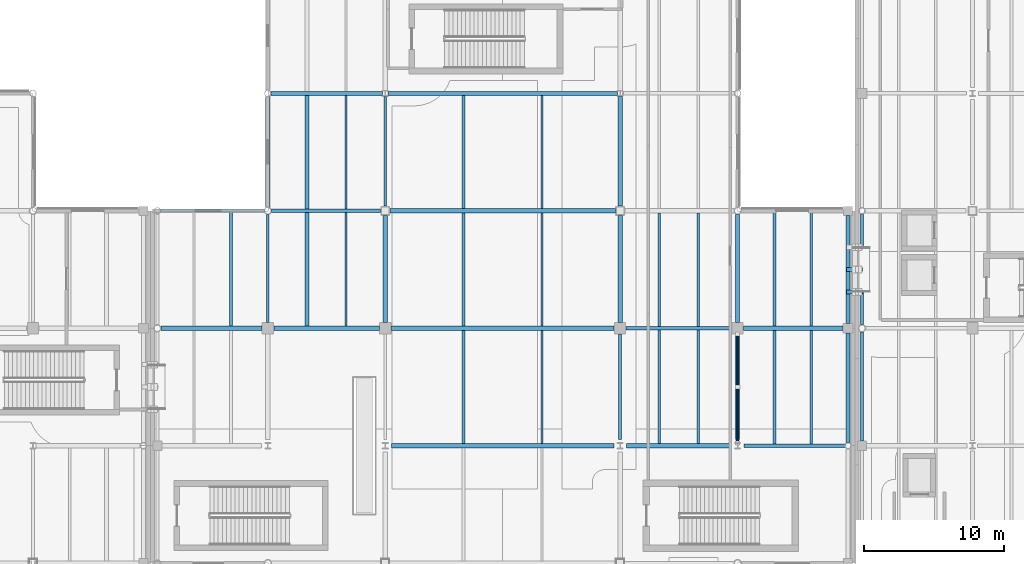
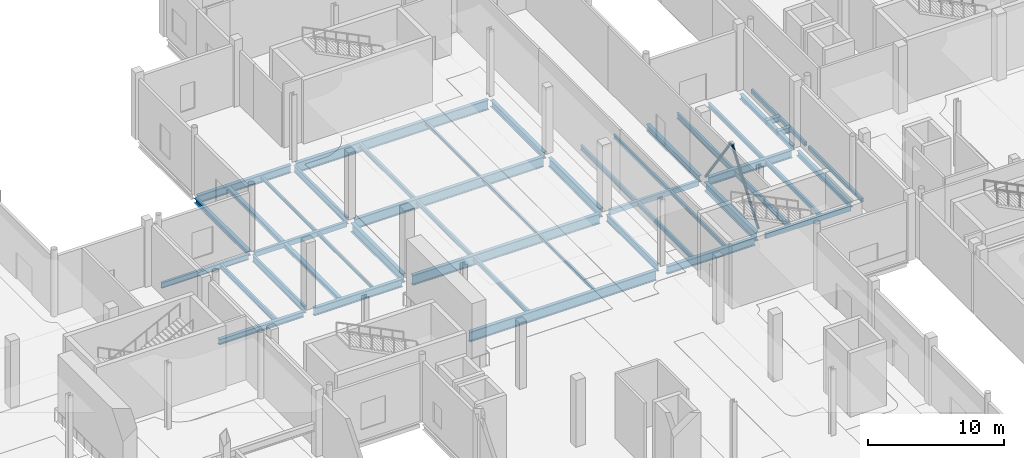
# One storey, part 22 of 85: 47 beams, 2 members.
"""IFC4 building model written with IfcOpenShell, lengths in metres."""

from ifc_helpers import new_model, si_unit, direction, frame, origin, origin_2d, place, context, subcontext, project, spatial, hollow_rectangle, hollow_circle, i_section, extrude, material, material_profile, profile_set, type_object, element, save


model = new_model("IFC4")

# Units and contexts
model_context = context("Model", 3, precision=1e-05, world=origin(), true_north=direction((0.0, 1.0)))
body_context = subcontext(model_context, "Body", "Model", "MODEL_VIEW")
ifc_project = project(units=[si_unit("LENGTHUNIT", "METRE"), si_unit("AREAUNIT", "SQUARE_METRE"), si_unit("VOLUMEUNIT", "CUBIC_METRE"), si_unit("PLANEANGLEUNIT", "RADIAN"), si_unit("MASSUNIT", "GRAM", prefix="KILO"), si_unit("THERMODYNAMICTEMPERATUREUNIT", "KELVIN")], contexts=[model_context])

# Site, building, storey
site_placement = place(None, origin())
site = spatial("IfcSite", under=ifc_project, at=site_placement, CompositionType="ELEMENT")
building_placement = place(site_placement, origin())
building = spatial("IfcBuilding", under=site, at=building_placement, Name="Lustrewick Department Store", CompositionType="ELEMENT")
storey_placement = place(building_placement, origin())
storey = spatial("IfcBuildingStorey", under=building, at=storey_placement, Name="L01", CompositionType="ELEMENT", Elevation=0.0)

# Beams
ifc_material_1 = material(Name="Structural steel Q355B", Category="steel")
ifc_material_profile_1 = material_profile(ifc_material_1, i_section(OverallWidth=0.199951171875, OverallDepth=0.5, WebThickness=0.010009765625, FlangeThickness=0.01611328125, FilletRadius=0.01611328125, at=origin_2d()), Name="HN 500x200x10x16")
ifc_profile_set_1 = profile_set([ifc_material_profile_1], Name="Structural steel Q355B")
beam_type_1 = type_object("IfcBeamType", Name="B01", PredefinedType="JOIST", material=ifc_profile_set_1)
beam_1_placement = place(storey_placement, frame((103.433349609375, 67.324951171875, -0.52001953125), z_axis=(0.0, 1.0, 0.0), x_axis=(-1.0, 0.0, 0.0)))
element("IfcBeam", 1, at=beam_1_placement, inside=storey, type_object=beam_type_1, Name="L01 V2 Secondary Joist B01", PredefinedType="JOIST", context=body_context, shape_type="SweptSolid", body=[
    extrude(i_section(OverallWidth=0.199951171875, OverallDepth=0.5, WebThickness=0.010009765625, FlangeThickness=0.01611328125, FilletRadius=0.01611328125, at=origin_2d()), origin(), (0.0, 0.0, 1.0), 8.1240234375),
])
beam_2_placement = place(storey_placement, frame((103.433349609375, 75.7509765625, -0.52001953125), z_axis=(0.0, 1.0, 0.0), x_axis=(-1.0, 0.0, 0.0)))
element("IfcBeam", 2, at=beam_2_placement, inside=storey, type_object=beam_type_1, Name="L01 V2 Secondary Joist B01", PredefinedType="JOIST", context=body_context, shape_type="SweptSolid", body=[
    extrude(i_section(OverallWidth=0.199951171875, OverallDepth=0.5, WebThickness=0.010009765625, FlangeThickness=0.01611328125, FilletRadius=0.01611328125, at=origin_2d()), origin(), (0.0, 0.0, 1.0), 8.1484375),
])
ifc_material_profile_2 = material_profile(ifc_material_1, i_section(OverallWidth=0.199951171875, OverallDepth=0.449951171875, WebThickness=0.009033203125, FlangeThickness=0.013916015625, FilletRadius=0.01611328125, at=origin_2d()), Name="HN 450x200x9x14")
ifc_profile_set_2 = profile_set([ifc_material_profile_2], Name="Structural steel Q355B")
beam_type_2 = type_object("IfcBeamType", Name="B03", PredefinedType="JOIST", material=ifc_profile_set_2)
beam_3_placement = place(storey_placement, frame((64.566650390625, 75.75, -0.4951171875), z_axis=(0.0, 1.0, 0.0), x_axis=(-1.0, 0.0, 0.0)))
element("IfcBeam", 3, at=beam_3_placement, inside=storey, type_object=beam_type_2, Name="L01 V2 Secondary Joist B03", PredefinedType="JOIST", context=body_context, shape_type="SweptSolid", body=[
    extrude(i_section(OverallWidth=0.199951171875, OverallDepth=0.449951171875, WebThickness=0.009033203125, FlangeThickness=0.013916015625, FilletRadius=0.01611328125, at=origin_2d()), origin(), (0.0, 0.0, 1.0), 8.1494140625),
])
ifc_material_profile_3 = material_profile(ifc_material_1, i_section(OverallWidth=0.199951171875, OverallDepth=0.39990234375, WebThickness=0.008056640625, FlangeThickness=0.012939453125, FilletRadius=0.013916015625, at=origin_2d()), Name="HN 400x200x8x13")
ifc_profile_set_3 = profile_set([ifc_material_profile_3], Name="Structural steel Q355B")
beam_type_3 = type_object("IfcBeamType", Name="B05", PredefinedType="JOIST", material=ifc_profile_set_3)
beam_4_placement = place(storey_placement, frame((81.199951171875, 67.35009765625, -0.469970703125), z_axis=(0.0, 1.0, 0.0), x_axis=(-1.0, 0.0, 0.0)))
element("IfcBeam", 4, at=beam_4_placement, inside=storey, type_object=beam_type_3, Name="L01 V2 Secondary Joist B05", PredefinedType="JOIST", context=body_context, shape_type="SweptSolid", body=[
    extrude(i_section(OverallWidth=0.199951171875, OverallDepth=0.39990234375, WebThickness=0.008056640625, FlangeThickness=0.012939453125, FilletRadius=0.013916015625, at=origin_2d()), origin(), (0.0, 0.0, 1.0), 8.099853515625),
])
beam_5_placement = place(storey_placement, frame((106.066650390625, 67.324951171875, -0.469970703125), z_axis=(0.0, 1.0, 0.0), x_axis=(-1.0, 0.0, 0.0)))
element("IfcBeam", 5, at=beam_5_placement, inside=storey, type_object=beam_type_3, Name="L01 V2 Secondary Joist B05", PredefinedType="JOIST", context=body_context, shape_type="SweptSolid", body=[
    extrude(i_section(OverallWidth=0.199951171875, OverallDepth=0.39990234375, WebThickness=0.008056640625, FlangeThickness=0.012939453125, FilletRadius=0.013916015625, at=origin_2d()), origin(), (0.0, 0.0, 1.0), 8.1240234375),
])
beam_6_placement = place(storey_placement, frame((81.199951171875, 75.75, -0.469970703125), z_axis=(0.0, 1.0, 0.0), x_axis=(-1.0, 0.0, 0.0)))
element("IfcBeam", 6, at=beam_6_placement, inside=storey, type_object=beam_type_3, Name="L01 V2 Secondary Joist B05", PredefinedType="JOIST", context=body_context, shape_type="SweptSolid", body=[
    extrude(i_section(OverallWidth=0.199951171875, OverallDepth=0.39990234375, WebThickness=0.008056640625, FlangeThickness=0.012939453125, FilletRadius=0.013916015625, at=origin_2d()), origin(), (0.0, 0.0, 1.0), 8.10009765625),
])
beam_7_placement = place(storey_placement, frame((106.066650390625, 75.7509765625, -0.469970703125), z_axis=(0.0, 1.0, 0.0), x_axis=(-1.0, 0.0, 0.0)))
element("IfcBeam", 7, at=beam_7_placement, inside=storey, type_object=beam_type_3, Name="L01 V2 Secondary Joist B05", PredefinedType="JOIST", context=body_context, shape_type="SweptSolid", body=[
    extrude(i_section(OverallWidth=0.199951171875, OverallDepth=0.39990234375, WebThickness=0.008056640625, FlangeThickness=0.012939453125, FilletRadius=0.013916015625, at=origin_2d()), origin(), (0.0, 0.0, 1.0), 8.1484375),
])
beam_8_placement = place(storey_placement, frame((81.199951171875, 84.14990234375, -0.469970703125), z_axis=(0.0, 1.0, 0.0), x_axis=(-1.0, 0.0, 0.0)))
element("IfcBeam", 8, at=beam_8_placement, inside=storey, type_object=beam_type_3, Name="L01 V2 Secondary Joist B05", PredefinedType="JOIST", context=body_context, shape_type="SweptSolid", body=[
    extrude(i_section(OverallWidth=0.199951171875, OverallDepth=0.39990234375, WebThickness=0.008056640625, FlangeThickness=0.012939453125, FilletRadius=0.013916015625, at=origin_2d()), origin(), (0.0, 0.0, 1.0), 8.10009765625),
])
ifc_material_profile_4 = material_profile(ifc_material_1, i_section(OverallWidth=0.198974609375, OverallDepth=0.39599609375, WebThickness=0.007080078125, FlangeThickness=0.010986328125, FilletRadius=0.013916015625, at=origin_2d()), Name="HN 396x199x7x11")
ifc_profile_set_4 = profile_set([ifc_material_profile_4], Name="Structural steel Q355B")
beam_type_4 = type_object("IfcBeamType", Name="B06", PredefinedType="JOIST", material=ifc_profile_set_4)
beam_9_placement = place(storey_placement, frame((95.199951171875, 67.35009765625, -0.468017578125), z_axis=(0.0, 1.0, 0.0), x_axis=(-1.0, 0.0, 0.0)))
element("IfcBeam", 9, at=beam_9_placement, inside=storey, type_object=beam_type_4, Name="L01 V2 Secondary Joist B06", PredefinedType="JOIST", context=body_context, shape_type="SweptSolid", body=[
    extrude(i_section(OverallWidth=0.198974609375, OverallDepth=0.39599609375, WebThickness=0.007080078125, FlangeThickness=0.010986328125, FilletRadius=0.013916015625, at=origin_2d()), origin(), (0.0, 0.0, 1.0), 8.125),
])
beam_10_placement = place(storey_placement, frame((95.199951171875, 75.72509765625, -0.468017578125), z_axis=(0.0, 1.0, 0.0), x_axis=(-1.0, 0.0, 0.0)))
element("IfcBeam", 10, at=beam_10_placement, inside=storey, type_object=beam_type_4, Name="L01 V2 Secondary Joist B06", PredefinedType="JOIST", context=body_context, shape_type="SweptSolid", body=[
    extrude(i_section(OverallWidth=0.198974609375, OverallDepth=0.39599609375, WebThickness=0.007080078125, FlangeThickness=0.010986328125, FilletRadius=0.013916015625, at=origin_2d()), origin(), (0.0, 0.0, 1.0), 8.1240234375),
])
ifc_material_profile_5 = material_profile(ifc_material_1, i_section(OverallWidth=0.300048828125, OverallDepth=0.389892578125, WebThickness=0.010009765625, FlangeThickness=0.01611328125, FilletRadius=0.01806640625, at=origin_2d()), Name="HM 390x300x10x16")
ifc_profile_set_5 = profile_set([ifc_material_profile_5], Name="Structural steel Q355B")
beam_type_5 = type_object("IfcBeamType", Name="B07", PredefinedType="JOIST", material=ifc_profile_set_5)
for number, where, z_axis, x_axis, name in (
    (11, (70.0, 75.75, -0.465087890625), (0.0, 1.0, 0.0), (-1.0, 0.0, 0.0), "L01 V2 Secondary Joist B07"),
    (12, (70.0, 84.125, -0.465087890625), (0.0, 1.0, 0.0), (-1.0, 0.0, 0.0), "L01 V2 Secondary Joist B07"),
):
    element("IfcBeam", number, at=place(storey_placement, frame(where, z_axis=z_axis, x_axis=x_axis)), inside=storey, type_object=beam_type_5, Name=name, PredefinedType="JOIST", context=body_context, shape_type="SweptSolid", body=[
        extrude(i_section(OverallWidth=0.300048828125, OverallDepth=0.389892578125, WebThickness=0.010009765625, FlangeThickness=0.01611328125, FilletRadius=0.01806640625, at=origin_2d()), origin(), (0.0, 0.0, 1.0), 8.125),
    ])
ifc_material_profile_6 = material_profile(ifc_material_1, i_section(OverallWidth=0.174072265625, OverallDepth=0.345947265625, WebThickness=0.006103515625, FlangeThickness=0.009033203125, FilletRadius=0.012939453125, at=origin_2d()), Name="HN 346x174x6x9")
ifc_profile_set_6 = profile_set([ifc_material_profile_6], Name="Structural steel Q355B")
beam_type_6 = type_object("IfcBeamType", Name="B10", PredefinedType="JOIST", material=ifc_profile_set_6)
beam_11_placement = place(storey_placement, frame((98.0, 67.35009765625, -0.443115234375), z_axis=(0.0, 1.0, 0.0), x_axis=(-1.0, 0.0, 0.0)))
element("IfcBeam", 13, at=beam_11_placement, inside=storey, type_object=beam_type_6, Name="L01 V2 Secondary Joist B10", PredefinedType="JOIST", context=body_context, shape_type="SweptSolid", body=[
    extrude(i_section(OverallWidth=0.174072265625, OverallDepth=0.345947265625, WebThickness=0.006103515625, FlangeThickness=0.009033203125, FilletRadius=0.012939453125, at=origin_2d()), origin(), (0.0, 0.0, 1.0), 8.125),
])
beam_12_placement = place(storey_placement, frame((98.0, 75.72509765625, -0.443115234375), z_axis=(0.0, 1.0, 0.0), x_axis=(-1.0, 0.0, 0.0)))
element("IfcBeam", 14, at=beam_12_placement, inside=storey, type_object=beam_type_6, Name="L01 V2 Secondary Joist B10", PredefinedType="JOIST", context=body_context, shape_type="SweptSolid", body=[
    extrude(i_section(OverallWidth=0.174072265625, OverallDepth=0.345947265625, WebThickness=0.006103515625, FlangeThickness=0.009033203125, FilletRadius=0.012939453125, at=origin_2d()), origin(), (0.0, 0.0, 1.0), 8.1240234375),
])
ifc_material_profile_7 = material_profile(ifc_material_1, i_section(OverallWidth=0.14990234375, OverallDepth=0.300048828125, WebThickness=0.006591796875, FlangeThickness=0.009033203125, FilletRadius=0.011962890625, at=origin_2d()), Name="HN 300x150x6.5x9")
ifc_profile_set_7 = profile_set([ifc_material_profile_7], Name="Structural steel Q355B")
beam_type_7 = type_object("IfcBeamType", Name="B11", PredefinedType="JOIST", material=ifc_profile_set_7)
for number, where, z_axis, x_axis, name in (
    (15, (72.800048828125, 75.75, -0.419921875), (0.0, 1.0, 0.0), (-1.0, 0.0, 0.0), "L01 V2 Secondary Joist B11"),
    (16, (72.800048828125, 84.125, -0.419921875), (0.0, 1.0, 0.0), (-1.0, 0.0, 0.0), "L01 V2 Secondary Joist B11"),
):
    element("IfcBeam", number, at=place(storey_placement, frame(where, z_axis=z_axis, x_axis=x_axis)), inside=storey, type_object=beam_type_7, Name=name, PredefinedType="JOIST", context=body_context, shape_type="SweptSolid", body=[
        extrude(i_section(OverallWidth=0.14990234375, OverallDepth=0.300048828125, WebThickness=0.006591796875, FlangeThickness=0.009033203125, FilletRadius=0.011962890625, at=origin_2d()), origin(), (0.0, 0.0, 1.0), 8.125),
    ])
ifc_material_profile_8 = material_profile(ifc_material_1, i_section(OverallWidth=0.14892578125, OverallDepth=0.298095703125, WebThickness=0.005615234375, FlangeThickness=0.008056640625, FilletRadius=0.011962890625, at=origin_2d()), Name="HN 298x149x5.5x8")
ifc_profile_set_8 = profile_set([ifc_material_profile_8], Name="Structural steel Q355B")
beam_type_8 = type_object("IfcBeamType", Name="B12", PredefinedType="JOIST", material=ifc_profile_set_8)
beam_13_placement = place(storey_placement, frame((86.800048828125, 67.35009765625, -0.4189453125), z_axis=(0.0, 1.0, 0.0), x_axis=(-1.0, 0.0, 0.0)))
element("IfcBeam", 17, at=beam_13_placement, inside=storey, type_object=beam_type_8, Name="L01 V2 Secondary Joist B12", PredefinedType="JOIST", context=body_context, shape_type="SweptSolid", body=[
    extrude(i_section(OverallWidth=0.14892578125, OverallDepth=0.298095703125, WebThickness=0.005615234375, FlangeThickness=0.008056640625, FilletRadius=0.011962890625, at=origin_2d()), origin(), (0.0, 0.0, 1.0), 8.099853515625),
])
for number, where, z_axis, x_axis, name in (
    (18, (86.800048828125, 75.75, -0.4189453125), (0.0, 1.0, 0.0), (-1.0, 0.0, 0.0), "L01 V2 Secondary Joist B12"),
    (19, (86.800048828125, 84.14990234375, -0.4189453125), (0.0, 1.0, 0.0), (-1.0, 0.0, 0.0), "L01 V2 Secondary Joist B12"),
):
    element("IfcBeam", number, at=place(storey_placement, frame(where, z_axis=z_axis, x_axis=x_axis)), inside=storey, type_object=beam_type_8, Name=name, PredefinedType="JOIST", context=body_context, shape_type="SweptSolid", body=[
        extrude(i_section(OverallWidth=0.14892578125, OverallDepth=0.298095703125, WebThickness=0.005615234375, FlangeThickness=0.008056640625, FilletRadius=0.011962890625, at=origin_2d()), origin(), (0.0, 0.0, 1.0), 8.10009765625),
    ])

# Members
ifc_material_profile_9 = material_profile(ifc_material_1, hollow_circle(Radius=0.109619140625, WallThickness=0.010009765625, at=origin_2d()), Name="CHS 219x10")
ifc_profile_set_9 = profile_set([ifc_material_profile_9], Name="Structural steel Q355B")
member_type = type_object("IfcMemberType", Name="BR05", PredefinedType="BRACE", material=ifc_profile_set_9)
member_1_placement = place(storey_placement, frame((100.800048828125, 67.39990234375, 0.14990234375), z_axis=(0.0, 0.596695982264, 0.802467385474), x_axis=(-1.0, 0.0, 0.0)))
element("IfcMember", 20, at=member_1_placement, inside=storey, type_object=member_type, Name="L01 V2 Chevron Brace BR05", PredefinedType="BRACE", context=body_context, shape_type="SweptSolid", body=[
    extrude(hollow_circle(Radius=0.109619140625, WallThickness=0.010009765625, at=origin_2d()), origin(), (0.0, 0.0, 1.0), 6.5361328125),
])
member_2_placement = place(storey_placement, frame((100.800048828125, 75.199951171875, 0.14990234375), z_axis=(0.0, -0.576424827451, 0.817150180994), x_axis=(1.0, 0.0, 0.0)))
element("IfcMember", 21, at=member_2_placement, inside=storey, type_object=member_type, Name="L01 V2 Chevron Brace BR05", PredefinedType="BRACE", context=body_context, shape_type="SweptSolid", body=[
    extrude(hollow_circle(Radius=0.109619140625, WallThickness=0.010009765625, at=origin_2d()), origin(), (0.0, 0.0, 1.0), 6.418701171875),
])

# Beams
ifc_material_2 = material(Name="Structural steel Q355C", Category="steel")
ifc_material_profile_10 = material_profile(ifc_material_2, i_section(OverallWidth=0.300048828125, OverallDepth=0.89990234375, WebThickness=0.01611328125, FlangeThickness=0.028076171875, FilletRadius=0.02392578125, at=origin_2d()), Name="HN 900x300x16x28")
ifc_profile_set_10 = profile_set([ifc_material_profile_10], Name="Structural steel Q355C")
beam_type_9 = type_object("IfcBeamType", Name="G02", PredefinedType="BEAM", material=ifc_profile_set_10)
beam_14_placement = place(storey_placement, frame((76.050048828125, 67.199951171875, -0.719970703125), z_axis=(1.0, 0.0, 0.0), x_axis=(0.0, 1.0, 0.0)))
element("IfcBeam", 22, at=beam_14_placement, inside=storey, type_object=beam_type_9, Name="L01 V2 Girder G02", PredefinedType="BEAM", context=body_context, shape_type="SweptSolid", body=[
    extrude(i_section(OverallWidth=0.300048828125, OverallDepth=0.89990234375, WebThickness=0.01611328125, FlangeThickness=0.028076171875, FilletRadius=0.02392578125, at=origin_2d()), origin(), (0.0, 0.0, 1.0), 15.89990234375),
])
beam_15_placement = place(storey_placement, frame((76.02490234375, 75.60009765625, -0.719970703125), z_axis=(1.0, 0.0, 0.0), x_axis=(0.0, 1.0, 0.0)))
element("IfcBeam", 23, at=beam_15_placement, inside=storey, type_object=beam_type_9, Name="L01 V2 Girder G02", PredefinedType="BEAM", context=body_context, shape_type="SweptSolid", body=[
    extrude(i_section(OverallWidth=0.300048828125, OverallDepth=0.89990234375, WebThickness=0.01611328125, FlangeThickness=0.028076171875, FilletRadius=0.02392578125, at=origin_2d()), origin(), (0.0, 0.0, 1.0), 15.9501953125),
])
beam_16_placement = place(storey_placement, frame((75.949951171875, 84.0, -0.719970703125), z_axis=(1.0, 0.0, 0.0), x_axis=(0.0, 1.0, 0.0)))
element("IfcBeam", 24, at=beam_16_placement, inside=storey, type_object=beam_type_9, Name="L01 V2 Girder G02", PredefinedType="BEAM", context=body_context, shape_type="SweptSolid", body=[
    extrude(i_section(OverallWidth=0.300048828125, OverallDepth=0.89990234375, WebThickness=0.01611328125, FlangeThickness=0.028076171875, FilletRadius=0.02392578125, at=origin_2d()), origin(), (0.0, 0.0, 1.0), 16.10009765625),
])
beam_17_placement = place(storey_placement, frame((75.803466796875, 92.39990234375, -0.719970703125), z_axis=(1.0, 0.0, 0.0), x_axis=(0.0, 1.0, 0.0)))
element("IfcBeam", 25, at=beam_17_placement, inside=storey, type_object=beam_type_9, Name="L01 V2 Girder G02", PredefinedType="BEAM", context=body_context, shape_type="SweptSolid", body=[
    extrude(i_section(OverallWidth=0.300048828125, OverallDepth=0.89990234375, WebThickness=0.01611328125, FlangeThickness=0.028076171875, FilletRadius=0.02392578125, at=origin_2d()), origin(), (0.0, 0.0, 1.0), 16.39306640625),
])
ifc_material_profile_11 = material_profile(ifc_material_2, i_section(OverallWidth=0.302001953125, OverallDepth=0.80810546875, WebThickness=0.01611328125, FlangeThickness=0.030029296875, FilletRadius=0.02197265625, at=origin_2d()), Name="HN 808x302x16x30")
ifc_profile_set_11 = profile_set([ifc_material_profile_11], Name="Structural steel Q355C")
beam_type_10 = type_object("IfcBeamType", Name="G04", PredefinedType="BEAM", material=ifc_profile_set_11)
for number, where, z_axis, x_axis, name in (
    (26, (75.60009765625, 76.02490234375, -0.674072265625), (0.0, 1.0, 0.0), (-1.0, 0.0, 0.0), "L01 V2 Girder G04"),
    (27, (92.39990234375, 76.02490234375, -0.674072265625), (0.0, 1.0, 0.0), (-1.0, 0.0, 0.0), "L01 V2 Girder G04"),
):
    element("IfcBeam", number, at=place(storey_placement, frame(where, z_axis=z_axis, x_axis=x_axis)), inside=storey, type_object=beam_type_10, Name=name, PredefinedType="BEAM", context=body_context, shape_type="SweptSolid", body=[
        extrude(i_section(OverallWidth=0.302001953125, OverallDepth=0.80810546875, WebThickness=0.01611328125, FlangeThickness=0.030029296875, FilletRadius=0.02197265625, at=origin_2d()), origin(), (0.0, 0.0, 1.0), 7.625),
    ])
beam_18_placement = place(storey_placement, frame((100.800048828125, 67.64990234375, -0.674072265625), z_axis=(0.0, 1.0, 0.0), x_axis=(-1.0, 0.0, 0.0)))
element("IfcBeam", 28, at=beam_18_placement, inside=storey, type_object=beam_type_10, Name="L01 V2 Girder G04", PredefinedType="BEAM", context=body_context, shape_type="SweptSolid", body=[
    extrude(i_section(OverallWidth=0.302001953125, OverallDepth=0.80810546875, WebThickness=0.01611328125, FlangeThickness=0.030029296875, FilletRadius=0.02197265625, at=origin_2d()), origin(), (0.0, 0.0, 1.0), 7.525146484375),
])
ifc_material_profile_12 = material_profile(ifc_material_2, i_section(OverallWidth=0.302001953125, OverallDepth=0.7080078125, WebThickness=0.014892578125, FlangeThickness=0.028076171875, FilletRadius=0.02001953125, at=origin_2d()), Name="HN 708x302x15x28")
ifc_profile_set_12 = profile_set([ifc_material_profile_12], Name="Structural steel Q355C")
beam_type_11 = type_object("IfcBeamType", Name="G07", PredefinedType="BEAM", material=ifc_profile_set_12)
beam_19_placement = place(storey_placement, frame((101.22509765625, 75.60009765625, -0.6240234375), z_axis=(1.0, 0.0, 0.0), x_axis=(0.0, 1.0, 0.0)))
element("IfcBeam", 29, at=beam_19_placement, inside=storey, type_object=beam_type_11, Name="L01 V2 Girder G07", PredefinedType="BEAM", context=body_context, shape_type="SweptSolid", body=[
    extrude(i_section(OverallWidth=0.302001953125, OverallDepth=0.7080078125, WebThickness=0.014892578125, FlangeThickness=0.028076171875, FilletRadius=0.02001953125, at=origin_2d()), origin(), (0.0, 0.0, 1.0), 7.125),
])
ifc_material_profile_13 = material_profile(ifc_material_1, i_section(OverallWidth=0.300048828125, OverallDepth=0.699951171875, WebThickness=0.012939453125, FlangeThickness=0.02392578125, FilletRadius=0.02001953125, at=origin_2d()), Name="HN 700x300x13x24")
ifc_profile_set_13 = profile_set([ifc_material_profile_13], Name="Structural steel Q355B")
beam_type_12 = type_object("IfcBeamType", Name="G08", PredefinedType="BEAM", material=ifc_profile_set_13)
beam_20_placement = place(storey_placement, frame((92.85009765625, 67.199951171875, -0.6201171875), z_axis=(1.0, 0.0, 0.0), x_axis=(0.0, 1.0, 0.0)))
element("IfcBeam", 30, at=beam_20_placement, inside=storey, type_object=beam_type_12, Name="L01 V2 Girder G08", PredefinedType="BEAM", context=body_context, shape_type="SweptSolid", body=[
    extrude(i_section(OverallWidth=0.300048828125, OverallDepth=0.699951171875, WebThickness=0.012939453125, FlangeThickness=0.02392578125, FilletRadius=0.02001953125, at=origin_2d()), origin(), (0.0, 0.0, 1.0), 7.5),
])
beam_21_placement = place(storey_placement, frame((67.625, 75.60009765625, -0.6201171875), z_axis=(1.0, 0.0, 0.0), x_axis=(0.0, 1.0, 0.0)))
element("IfcBeam", 31, at=beam_21_placement, inside=storey, type_object=beam_type_12, Name="L01 V2 Girder G08", PredefinedType="BEAM", context=body_context, shape_type="SweptSolid", body=[
    extrude(i_section(OverallWidth=0.300048828125, OverallDepth=0.699951171875, WebThickness=0.012939453125, FlangeThickness=0.02392578125, FilletRadius=0.02001953125, at=origin_2d()), origin(), (0.0, 0.0, 1.0), 7.550048828125),
])
beam_22_placement = place(storey_placement, frame((67.428466796875, 92.39990234375, -0.6201171875), z_axis=(1.0, 0.0, 0.0), x_axis=(0.0, 1.0, 0.0)))
element("IfcBeam", 32, at=beam_22_placement, inside=storey, type_object=beam_type_12, Name="L01 V2 Girder G08", PredefinedType="BEAM", context=body_context, shape_type="SweptSolid", body=[
    extrude(i_section(OverallWidth=0.300048828125, OverallDepth=0.699951171875, WebThickness=0.012939453125, FlangeThickness=0.02392578125, FilletRadius=0.02001953125, at=origin_2d()), origin(), (0.0, 0.0, 1.0), 7.968017578125),
])
ifc_material_profile_14 = material_profile(ifc_material_1, i_section(OverallWidth=0.300048828125, OverallDepth=0.58203125, WebThickness=0.011962890625, FlangeThickness=0.01708984375, FilletRadius=0.02392578125, at=origin_2d()), Name="HM 582x300x12x17")
ifc_profile_set_14 = profile_set([ifc_material_profile_14], Name="Structural steel Q355B")
beam_type_13 = type_object("IfcBeamType", Name="G12", PredefinedType="BEAM", material=ifc_profile_set_14)
beam_23_placement = place(storey_placement, frame((92.39990234375, 84.35009765625, -0.56103515625), z_axis=(0.0, 1.0, 0.0), x_axis=(-1.0, 0.0, 0.0)))
element("IfcBeam", 33, at=beam_23_placement, inside=storey, type_object=beam_type_13, Name="L01 V2 Girder G12", PredefinedType="BEAM", context=body_context, shape_type="SweptSolid", body=[
    extrude(i_section(OverallWidth=0.300048828125, OverallDepth=0.58203125, WebThickness=0.011962890625, FlangeThickness=0.01708984375, FilletRadius=0.02392578125, at=origin_2d()), origin(), (0.0, 0.0, 1.0), 7.8359375),
])
beam_24_placement = place(storey_placement, frame((100.800048828125, 76.02490234375, -0.56103515625), z_axis=(0.0, 1.0, 0.0), x_axis=(-1.0, 0.0, 0.0)))
element("IfcBeam", 34, at=beam_24_placement, inside=storey, type_object=beam_type_13, Name="L01 V2 Girder G12", PredefinedType="BEAM", context=body_context, shape_type="SweptSolid", body=[
    extrude(i_section(OverallWidth=0.300048828125, OverallDepth=0.58203125, WebThickness=0.011962890625, FlangeThickness=0.01708984375, FilletRadius=0.02392578125, at=origin_2d()), origin(), (0.0, 0.0, 1.0), 7.72119140625),
])
ifc_material_profile_15 = material_profile(ifc_material_1, i_section(OverallWidth=0.200927734375, OverallDepth=0.60595703125, WebThickness=0.011962890625, FlangeThickness=0.02001953125, FilletRadius=0.01806640625, at=origin_2d()), Name="HN 606x201x12x20")
ifc_profile_set_15 = profile_set([ifc_material_profile_15], Name="Structural steel Q355B")
beam_type_14 = type_object("IfcBeamType", Name="G13", PredefinedType="BEAM", material=ifc_profile_set_15)
beam_25_placement = place(storey_placement, frame((67.199951171875, 76.02490234375, -0.572998046875), z_axis=(0.0, 1.0, 0.0), x_axis=(-1.0, 0.0, 0.0)))
element("IfcBeam", 35, at=beam_25_placement, inside=storey, type_object=beam_type_14, Name="L01 V2 Girder G13", PredefinedType="BEAM", context=body_context, shape_type="SweptSolid", body=[
    extrude(i_section(OverallWidth=0.200927734375, OverallDepth=0.60595703125, WebThickness=0.011962890625, FlangeThickness=0.02001953125, FilletRadius=0.01806640625, at=origin_2d()), origin(), (0.0, 0.0, 1.0), 7.72119140625),
])
beam_26_placement = place(storey_placement, frame((75.60009765625, 84.35009765625, -0.572998046875), z_axis=(0.0, 1.0, 0.0), x_axis=(-1.0, 0.0, 0.0)))
element("IfcBeam", 36, at=beam_26_placement, inside=storey, type_object=beam_type_14, Name="L01 V2 Girder G13", PredefinedType="BEAM", context=body_context, shape_type="SweptSolid", body=[
    extrude(i_section(OverallWidth=0.200927734375, OverallDepth=0.60595703125, WebThickness=0.011962890625, FlangeThickness=0.02001953125, FilletRadius=0.01806640625, at=origin_2d()), origin(), (0.0, 0.0, 1.0), 7.8359375),
])
beam_27_placement = place(storey_placement, frame((92.39990234375, 67.64990234375, -0.572998046875), z_axis=(0.0, 1.0, 0.0), x_axis=(-1.0, 0.0, 0.0)))
element("IfcBeam", 37, at=beam_27_placement, inside=storey, type_object=beam_type_14, Name="L01 V2 Girder G13", PredefinedType="BEAM", context=body_context, shape_type="SweptSolid", body=[
    extrude(i_section(OverallWidth=0.200927734375, OverallDepth=0.60595703125, WebThickness=0.011962890625, FlangeThickness=0.02001953125, FilletRadius=0.01806640625, at=origin_2d()), origin(), (0.0, 0.0, 1.0), 7.525146484375),
])
ifc_material_profile_16 = material_profile(ifc_material_1, i_section(OverallWidth=0.300048828125, OverallDepth=0.488037109375, WebThickness=0.010986328125, FlangeThickness=0.01806640625, FilletRadius=0.02197265625, at=origin_2d()), Name="HM 488x300x11x18")
ifc_profile_set_16 = profile_set([ifc_material_profile_16], Name="Structural steel Q355B")
beam_type_15 = type_object("IfcBeamType", Name="G16", PredefinedType="BEAM", material=ifc_profile_set_16)
for number, where, z_axis, x_axis, name in (
    (38, (108.60009765625, 78.199951171875, -0.4990234375), (1.0, 0.0, 0.0), (0.0, 1.0, 0.0), "L01 Skybridge SB24 Girder 1"),
    (39, (108.60009765625, 79.800048828125, -0.4990234375), (1.0, 0.0, 0.0), (0.0, 1.0, 0.0), "L01 Skybridge SB24 Girder 3"),
):
    element("IfcBeam", number, at=place(storey_placement, frame(where, z_axis=z_axis, x_axis=x_axis)), inside=storey, type_object=beam_type_15, Name=name, PredefinedType="BEAM", context=body_context, shape_type="SweptSolid", body=[
        extrude(i_section(OverallWidth=0.300048828125, OverallDepth=0.488037109375, WebThickness=0.010986328125, FlangeThickness=0.01806640625, FilletRadius=0.02197265625, at=origin_2d()), origin(), (0.0, 0.0, 1.0), 1.139892578125),
    ])
ifc_material_profile_17 = material_profile(ifc_material_2, hollow_rectangle(XDim=0.25, YDim=0.449951171875, WallThickness=0.013916015625, at=origin_2d()), Name="RHS 450x250x14")
ifc_profile_set_17 = profile_set([ifc_material_profile_17], Name="Structural steel Q355C")
beam_type_16 = type_object("IfcBeamType", Name="G18", PredefinedType="BEAM", material=ifc_profile_set_17)
beam_28_placement = place(storey_placement, frame((101.25, 67.199951171875, -0.4951171875), z_axis=(1.0, 0.0, 0.0), x_axis=(0.0, 1.0, 0.0)))
element("IfcBeam", 40, at=beam_28_placement, inside=storey, type_object=beam_type_16, Name="L01 V2 Girder G18", PredefinedType="BEAM", context=body_context, shape_type="SweptSolid", body=[
    extrude(hollow_rectangle(XDim=0.25, YDim=0.449951171875, WallThickness=0.013916015625, at=origin_2d()), origin(), (0.0, 0.0, 1.0), 7.221435546875),
])
beam_29_placement = place(storey_placement, frame((92.824951171875, 75.60009765625, -0.4951171875), z_axis=(1.0, 0.0, 0.0), x_axis=(0.0, 1.0, 0.0)))
element("IfcBeam", 41, at=beam_29_placement, inside=storey, type_object=beam_type_16, Name="L01 V2 Girder G18", PredefinedType="BEAM", context=body_context, shape_type="SweptSolid", body=[
    extrude(hollow_rectangle(XDim=0.25, YDim=0.449951171875, WallThickness=0.013916015625, at=origin_2d()), origin(), (0.0, 0.0, 1.0), 7.550048828125),
])
beam_30_placement = place(storey_placement, frame((67.4541015625, 84.0, -0.4951171875), z_axis=(1.0, 0.0, 0.0), x_axis=(0.0, 1.0, 0.0)))
element("IfcBeam", 42, at=beam_30_placement, inside=storey, type_object=beam_type_16, Name="L01 V2 Girder G18", PredefinedType="BEAM", context=body_context, shape_type="SweptSolid", body=[
    extrude(hollow_rectangle(XDim=0.25, YDim=0.449951171875, WallThickness=0.013916015625, at=origin_2d()), origin(), (0.0, 0.0, 1.0), 7.7958984375),
])
ifc_material_profile_18 = material_profile(ifc_material_1, i_section(OverallWidth=0.300048828125, OverallDepth=0.48193359375, WebThickness=0.010986328125, FlangeThickness=0.014892578125, FilletRadius=0.02197265625, at=origin_2d()), Name="HM 482x300x11x15")
ifc_profile_set_18 = profile_set([ifc_material_profile_18], Name="Structural steel Q355B")
beam_type_17 = type_object("IfcBeamType", Name="G20", PredefinedType="BEAM", material=ifc_profile_set_18)
beam_31_placement = place(storey_placement, frame((59.553955078125, 75.60009765625, -0.510986328125), z_axis=(1.0, 0.0, 0.0), x_axis=(0.0, 1.0, 0.0)))
element("IfcBeam", 43, at=beam_31_placement, inside=storey, type_object=beam_type_17, Name="L01 V2 Girder G20", PredefinedType="BEAM", context=body_context, shape_type="SweptSolid", body=[
    extrude(i_section(OverallWidth=0.300048828125, OverallDepth=0.48193359375, WebThickness=0.010986328125, FlangeThickness=0.014892578125, FilletRadius=0.02197265625, at=origin_2d()), origin(), (0.0, 0.0, 1.0), 7.220947265625),
])
ifc_material_profile_19 = material_profile(ifc_material_1, i_section(OverallWidth=0.200927734375, OverallDepth=0.506103515625, WebThickness=0.010986328125, FlangeThickness=0.01904296875, FilletRadius=0.01611328125, at=origin_2d()), Name="HN 506x201x11x19")
ifc_profile_set_19 = profile_set([ifc_material_profile_19], Name="Structural steel Q355B")
beam_type_18 = type_object("IfcBeamType", Name="SP01", PredefinedType="SPANDREL", material=ifc_profile_set_19)
beam_32_placement = place(storey_placement, frame((59.528564453125, 84.0, -0.52294921875), z_axis=(1.0, 0.0, 0.0), x_axis=(0.0, 1.0, 0.0)))
element("IfcBeam", 44, at=beam_32_placement, inside=storey, type_object=beam_type_18, Name="L01 V2 Girder SP01", PredefinedType="SPANDREL", context=body_context, shape_type="SweptSolid", body=[
    extrude(i_section(OverallWidth=0.200927734375, OverallDepth=0.506103515625, WebThickness=0.010986328125, FlangeThickness=0.01904296875, FilletRadius=0.01611328125, at=origin_2d()), origin(), (0.0, 0.0, 1.0), 7.41748046875),
])
ifc_material_profile_20 = material_profile(ifc_material_1, i_section(OverallWidth=0.300048828125, OverallDepth=0.43994140625, WebThickness=0.010986328125, FlangeThickness=0.01806640625, FilletRadius=0.02001953125, at=origin_2d()), Name="HM 440x300x11x18")
ifc_profile_set_20 = profile_set([ifc_material_profile_20], Name="Structural steel Q355B")
beam_type_19 = type_object("IfcBeamType", Name="SP02", PredefinedType="SPANDREL", material=ifc_profile_set_20)
beam_33_placement = place(storey_placement, frame((67.199951171875, 84.25390625, -0.489990234375), z_axis=(0.0, 1.0, 0.0), x_axis=(-1.0, 0.0, 0.0)))
element("IfcBeam", 45, at=beam_33_placement, inside=storey, type_object=beam_type_19, Name="L01 V2 Girder SP02", PredefinedType="SPANDREL", context=body_context, shape_type="SweptSolid", body=[
    extrude(i_section(OverallWidth=0.300048828125, OverallDepth=0.43994140625, WebThickness=0.010986328125, FlangeThickness=0.01806640625, FilletRadius=0.02001953125, at=origin_2d()), origin(), (0.0, 0.0, 1.0), 7.91748046875),
])
beam_34_placement = place(storey_placement, frame((108.699951171875, 67.428466796875, -0.489990234375), z_axis=(0.0, 1.0, 0.0), x_axis=(-1.0, 0.0, 0.0)))
element("IfcBeam", 46, at=beam_34_placement, inside=storey, type_object=beam_type_19, Name="L01 V2 Girder SP02", PredefinedType="SPANDREL", context=body_context, shape_type="SweptSolid", body=[
    extrude(i_section(OverallWidth=0.300048828125, OverallDepth=0.43994140625, WebThickness=0.010986328125, FlangeThickness=0.01806640625, FilletRadius=0.02001953125, at=origin_2d()), origin(), (0.0, 0.0, 1.0), 7.821533203125),
])
beam_35_placement = place(storey_placement, frame((108.699951171875, 75.949951171875, -0.489990234375), z_axis=(0.0, 1.0, 0.0), x_axis=(-1.0, 0.0, 0.0)))
element("IfcBeam", 47, at=beam_35_placement, inside=storey, type_object=beam_type_19, Name="L01 V2 Girder SP02", PredefinedType="SPANDREL", context=body_context, shape_type="SweptSolid", body=[
    extrude(i_section(OverallWidth=0.300048828125, OverallDepth=0.43994140625, WebThickness=0.010986328125, FlangeThickness=0.01806640625, FilletRadius=0.02001953125, at=origin_2d()), origin(), (0.0, 0.0, 1.0), 7.72509765625),
])
ifc_material_profile_21 = material_profile(ifc_material_2, hollow_rectangle(XDim=0.199951171875, YDim=0.35009765625, WallThickness=0.011962890625, at=origin_2d()), Name="RHS 350x200x12")
ifc_profile_set_21 = profile_set([ifc_material_profile_21], Name="Structural steel Q355C")
beam_type_20 = type_object("IfcBeamType", Name="SP03", PredefinedType="SPANDREL", material=ifc_profile_set_21)
beam_36_placement = place(storey_placement, frame((109.699951171875, 67.52490234375, -0.445068359375), z_axis=(0.0, 1.0, 0.0), x_axis=(-1.0, 0.0, 0.0)))
element("IfcBeam", 48, at=beam_36_placement, inside=storey, type_object=beam_type_20, Name="L01 V4 Girder SP03", PredefinedType="SPANDREL", context=body_context, shape_type="SweptSolid", body=[
    extrude(hollow_rectangle(XDim=0.199951171875, YDim=0.35009765625, WallThickness=0.011962890625, at=origin_2d()), origin(), (0.0, 0.0, 1.0), 7.821044921875),
])
beam_37_placement = place(storey_placement, frame((109.699951171875, 75.85400390625, -0.445068359375), z_axis=(0.0, 1.0, 0.0), x_axis=(-1.0, 0.0, 0.0)))
element("IfcBeam", 49, at=beam_37_placement, inside=storey, type_object=beam_type_20, Name="L01 V4 Girder SP03", PredefinedType="SPANDREL", context=body_context, shape_type="SweptSolid", body=[
    extrude(hollow_rectangle(XDim=0.199951171875, YDim=0.35009765625, WallThickness=0.011962890625, at=origin_2d()), origin(), (0.0, 0.0, 1.0), 7.91748046875),
])

save(model, "model.ifc")
